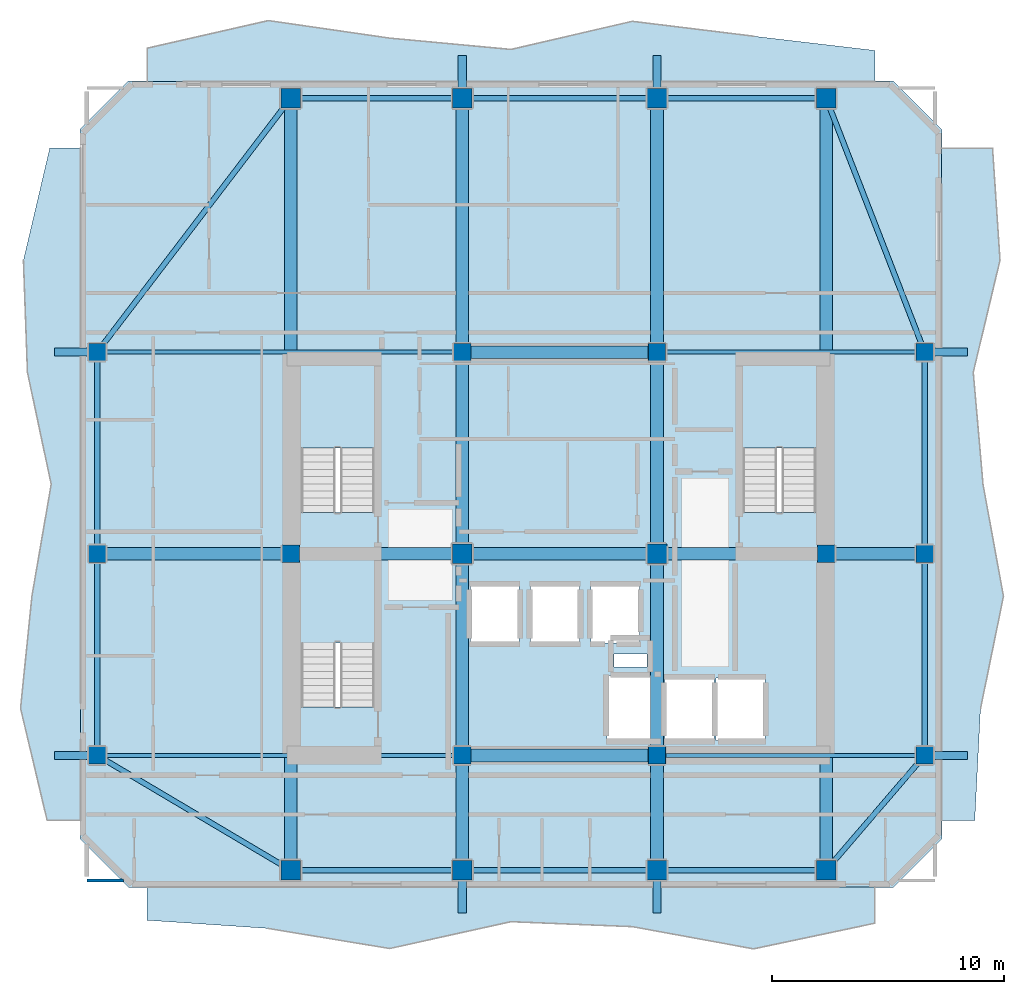
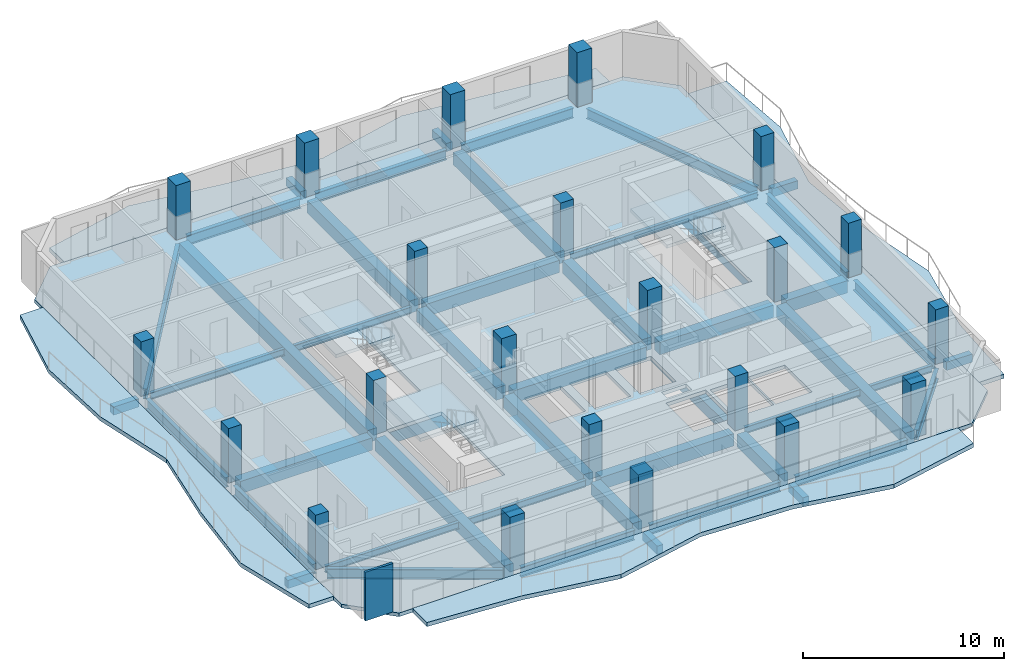
# One storey, part 1 of 10: 45 beams, 22 columns, 8 slabs, 1 wall, 3 elements without a shape of their own.
"""IFC4 building model written with IfcOpenShell, lengths in metres."""

from ifc_helpers import new_model, si_unit, direction, frame, frame_2d, origin, origin_2d, place, context, subcontext, project, spatial, polyline, rectangle, i_section, outline, extrude, material, layer, layer_set, material_profile, profile_set, type_object, element, aggregate, save


model = new_model("IFC4")

# Units and contexts
model_context = context("Model", 3, precision=1e-05, world=origin(), true_north=direction((0.0, 1.0)))
body_context = subcontext(model_context, "Body", "Model", "MODEL_VIEW")
ifc_project = project(units=[si_unit("LENGTHUNIT", "METRE"), si_unit("AREAUNIT", "SQUARE_METRE"), si_unit("VOLUMEUNIT", "CUBIC_METRE"), si_unit("PLANEANGLEUNIT", "RADIAN"), si_unit("MASSUNIT", "GRAM", prefix="KILO")], contexts=[model_context])

# Site, building, storey
site_placement = place(None, origin())
site = spatial("IfcSite", under=ifc_project, at=site_placement, CompositionType="ELEMENT")
building_placement = place(site_placement, origin())
building = spatial("IfcBuilding", under=site, at=building_placement, Name="Solanera Arch Residences", CompositionType="ELEMENT")
storey_placement = place(building_placement, frame((0.0, 0.0, 254.52001953125)))
storey = spatial("IfcBuildingStorey", under=building, at=storey_placement, Name="L74", CompositionType="ELEMENT", Elevation=254.52001953125)

# Columns
ifc_material_1 = material(Name="Concrete C40/50 (f'c = 45 MPa)", Category="concrete")
ifc_material_profile_1 = material_profile(ifc_material_1, rectangle(XDim=0.75, YDim=0.75, at=origin_2d()))
ifc_profile_set_1 = profile_set([ifc_material_profile_1], Name="Concrete C40/50 (f'c = 45 MPa)")
column_type_1 = type_object("IfcColumnType", Name="Structural Column RC-COL-750X750", PredefinedType="COLUMN", material=ifc_profile_set_1)
for number, where, z_axis, x_axis, name in (
    (1, (20.800048828125, 22.0, 0.0), (0.0, 0.0, 1.0), (1.0, 0.0, 0.0), "COL-L74-CB-SW"),
    (2, (29.199951171875, 22.0, 0.0), (0.0, 0.0, 1.0), (1.0, 0.0, 0.0), "COL-L74-CB-SE"),
    (3, (20.800048828125, 39.39990234375, 0.0), (0.0, 0.0, 1.0), (1.0, 0.0, 0.0), "COL-L74-CB-NW"),
    (4, (29.199951171875, 39.39990234375, 0.0), (0.0, 0.0, 1.0), (1.0, 0.0, 0.0), "COL-L74-CB-NE"),
    (5, (13.39990234375, 30.699951171875, 0.0), (0.0, 0.0, 1.0), (1.0, 0.0, 0.0), "COL-L74-CB-WW"),
    (6, (36.5, 30.699951171875, 0.0), (0.0, 0.0, 1.0), (1.0, 0.0, 0.0), "COL-L74-CB-EE"),
    (7, (5.050048828125, 22.0, 0.0), (0.0, 0.0, 1.0), (1.0, 0.0, 0.0), "COL-L74-TWR-09"),
    (8, (40.75, 22.0, 0.0), (0.0, 0.0, 1.0), (1.0, 0.0, 0.0), "COL-L74-TWR-10"),
    (9, (5.050048828125, 30.699951171875, 0.0), (0.0, 0.0, 1.0), (1.0, 0.0, 0.0), "COL-L74-TWR-11"),
    (10, (40.75, 30.699951171875, 0.0), (0.0, 0.0, 1.0), (1.0, 0.0, 0.0), "COL-L74-TWR-12"),
    (11, (5.050048828125, 39.39990234375, 0.0), (0.0, 0.0, 1.0), (1.0, 0.0, 0.0), "COL-L74-TWR-13"),
    (12, (40.75, 39.39990234375, 0.0), (0.0, 0.0, 1.0), (1.0, 0.0, 0.0), "COL-L74-TWR-14"),
):
    element("IfcColumn", number, at=place(storey_placement, frame(where, z_axis=z_axis, x_axis=x_axis)), inside=storey, type_object=column_type_1, Name=name, PredefinedType="COLUMN", context=body_context, shape_type="SweptSolid", body=[
        extrude(rectangle(XDim=0.75, YDim=0.75, at=origin_2d()), origin(), (0.0, 0.0, 1.0), 3.320068359375),
    ])
ifc_material_2 = material(Name="Concrete C40/50 (f'c = 45 MPa)", Category="concrete")
ifc_material_profile_2 = material_profile(ifc_material_2, rectangle(XDim=0.85009765625, YDim=0.85009765625, at=origin_2d()))
ifc_profile_set_2 = profile_set([ifc_material_profile_2], Name="Concrete C40/50 (f'c = 45 MPa)")
column_type_2 = type_object("IfcColumnType", Name="Structural Column RC-COL-850X850", PredefinedType="COLUMN", material=ifc_profile_set_2)
for number, where, z_axis, x_axis, name in (
    (13, (20.800048828125, 30.699951171875, 0.0), (0.0, 0.0, 1.0), (1.0, 0.0, 0.0), "COL-L74-CORE-W"),
    (14, (29.199951171875, 30.699951171875, 0.0), (0.0, 0.0, 1.0), (1.0, 0.0, 0.0), "COL-L74-CORE-E"),
    (15, (13.39990234375, 17.050048828125, 0.0), (0.0, 0.0, 1.0), (1.0, 0.0, 0.0), "COL-L74-TWR-01"),
    (16, (13.39990234375, 50.35009765625, 0.0), (0.0, 0.0, 1.0), (1.0, 0.0, 0.0), "COL-L74-TWR-02"),
    (17, (20.800048828125, 17.050048828125, 0.0), (0.0, 0.0, 1.0), (1.0, 0.0, 0.0), "COL-L74-TWR-03"),
    (18, (20.800048828125, 50.35009765625, 0.0), (0.0, 0.0, 1.0), (1.0, 0.0, 0.0), "COL-L74-TWR-04"),
    (19, (29.199951171875, 17.050048828125, 0.0), (0.0, 0.0, 1.0), (1.0, 0.0, 0.0), "COL-L74-TWR-05"),
    (20, (29.199951171875, 50.35009765625, 0.0), (0.0, 0.0, 1.0), (1.0, 0.0, 0.0), "COL-L74-TWR-06"),
    (21, (36.5, 17.050048828125, 0.0), (0.0, 0.0, 1.0), (1.0, 0.0, 0.0), "COL-L74-TWR-07"),
    (22, (36.5, 50.35009765625, 0.0), (0.0, 0.0, 1.0), (1.0, 0.0, 0.0), "COL-L74-TWR-08"),
):
    element("IfcColumn", number, at=place(storey_placement, frame(where, z_axis=z_axis, x_axis=x_axis)), inside=storey, type_object=column_type_2, Name=name, PredefinedType="COLUMN", context=body_context, shape_type="SweptSolid", body=[
        extrude(rectangle(XDim=0.85009765625, YDim=0.85009765625, at=origin_2d()), origin(), (0.0, 0.0, 1.0), 3.320068359375),
    ])

# Beams
ifc_material_3 = material(Name="Concrete C40/50 (f'c = 45 MPa)", Category="concrete")
ifc_material_profile_3 = material_profile(ifc_material_3, rectangle(XDim=0.35009765625, YDim=0.5, at=origin_2d()))
ifc_profile_set_3 = profile_set([ifc_material_profile_3], Name="Concrete C40/50 (f'c = 45 MPa)")
beam_type_1 = type_object("IfcBeamType", Name="BM-BALC-RIB", PredefinedType="BEAM", material=ifc_profile_set_3)
for number, where, z_axis, x_axis, name in (
    (23, (20.800048828125, 15.199951171875, -0.5), (0.0, 1.0, 0.0), (-1.0, 0.0, 0.0), "BM-L74-BRIB-S1"),
    (24, (29.199951171875, 15.199951171875, -0.5), (0.0, 1.0, 0.0), (-1.0, 0.0, 0.0), "BM-L74-BRIB-S2"),
    (25, (20.800048828125, 50.77490234375, -0.5), (0.0, 1.0, 0.0), (-1.0, 0.0, 0.0), "BM-L74-BRIB-N1"),
    (26, (29.199951171875, 50.77490234375, -0.5), (0.0, 1.0, 0.0), (-1.0, 0.0, 0.0), "BM-L74-BRIB-N2"),
):
    element("IfcBeam", number, at=place(storey_placement, frame(where, z_axis=z_axis, x_axis=x_axis)), inside=storey, type_object=beam_type_1, Name=name, PredefinedType="BEAM", context=body_context, shape_type="SweptSolid", body=[
        extrude(rectangle(XDim=0.35009765625, YDim=0.5, at=origin_2d()), origin(), (0.0, 0.0, 1.0), 1.425048828125),
    ])
for number, where, z_axis, x_axis, name in (
    (27, (41.125, 22.0, -0.5), (1.0, 0.0, 0.0), (0.0, 1.0, 0.0), "BM-L74-BRIB-E1"),
    (28, (41.125, 39.39990234375, -0.5), (1.0, 0.0, 0.0), (0.0, 1.0, 0.0), "BM-L74-BRIB-E2"),
    (29, (3.199951171875, 22.0, -0.5), (1.0, 0.0, 0.0), (0.0, 1.0, 0.0), "BM-L74-BRIB-W1"),
    (30, (3.199951171875, 39.39990234375, -0.5), (1.0, 0.0, 0.0), (0.0, 1.0, 0.0), "BM-L74-BRIB-W2"),
):
    element("IfcBeam", number, at=place(storey_placement, frame(where, z_axis=z_axis, x_axis=x_axis)), inside=storey, type_object=beam_type_1, Name=name, PredefinedType="BEAM", context=body_context, shape_type="SweptSolid", body=[
        extrude(rectangle(XDim=0.35009765625, YDim=0.5, at=origin_2d()), origin(), (0.0, 0.0, 1.0), 1.47509765625),
    ])
ifc_material_4 = material(Name="Concrete C40/50 (f'c = 45 MPa)", Category="concrete")
ifc_material_profile_4 = material_profile(ifc_material_4, rectangle(XDim=0.550048828125, YDim=0.75, at=origin_2d()))
ifc_profile_set_4 = profile_set([ifc_material_profile_4], Name="Concrete C40/50 (f'c = 45 MPa)")
beam_type_2 = type_object("IfcBeamType", Name="Primary Beam RC-BM-550X750", PredefinedType="BEAM", material=ifc_profile_set_4)
beam_1_placement = place(storey_placement, frame((20.800048828125, 22.37890625, -0.594970703125), z_axis=(0.0, 1.0, 0.0), x_axis=(-1.0, 0.0, 0.0)))
element("IfcBeam", 31, at=beam_1_placement, inside=storey, type_object=beam_type_2, Name="BM-L74-CC-S-208", PredefinedType="BEAM", context=body_context, shape_type="SweptSolid", body=[
    extrude(rectangle(XDim=0.550048828125, YDim=0.75, at=origin_2d()), origin(), (0.0, 0.0, 1.0), 7.942138671875),
])
beam_2_placement = place(storey_placement, frame((20.800048828125, 31.0791015625, -0.594970703125), z_axis=(0.0, 1.0, 0.0), x_axis=(-1.0, 0.0, 0.0)))
element("IfcBeam", 32, at=beam_2_placement, inside=storey, type_object=beam_type_2, Name="BM-L74-CC-N-208", PredefinedType="BEAM", context=body_context, shape_type="SweptSolid", body=[
    extrude(rectangle(XDim=0.550048828125, YDim=0.75, at=origin_2d()), origin(), (0.0, 0.0, 1.0), 7.94189453125),
])
beam_3_placement = place(storey_placement, frame((29.199951171875, 22.37890625, -0.594970703125), z_axis=(0.0, 1.0, 0.0), x_axis=(-1.0, 0.0, 0.0)))
element("IfcBeam", 33, at=beam_3_placement, inside=storey, type_object=beam_type_2, Name="BM-L74-CC-S-292", PredefinedType="BEAM", context=body_context, shape_type="SweptSolid", body=[
    extrude(rectangle(XDim=0.550048828125, YDim=0.75, at=origin_2d()), origin(), (0.0, 0.0, 1.0), 7.942138671875),
])
beam_4_placement = place(storey_placement, frame((29.199951171875, 31.0791015625, -0.594970703125), z_axis=(0.0, 1.0, 0.0), x_axis=(-1.0, 0.0, 0.0)))
element("IfcBeam", 34, at=beam_4_placement, inside=storey, type_object=beam_type_2, Name="BM-L74-CC-N-292", PredefinedType="BEAM", context=body_context, shape_type="SweptSolid", body=[
    extrude(rectangle(XDim=0.550048828125, YDim=0.75, at=origin_2d()), origin(), (0.0, 0.0, 1.0), 7.94189453125),
])
for number, where, z_axis, x_axis, name in (
    (35, (21.178955078125, 22.0, -0.594970703125), (1.0, 0.0, 0.0), (0.0, 1.0, 0.0), "BM-L74-CC-M-220"),
    (36, (21.178955078125, 30.699951171875, -0.594970703125), (1.0, 0.0, 0.0), (0.0, 1.0, 0.0), "BM-L74-CC-M-307"),
    (37, (21.178955078125, 39.39990234375, -0.594970703125), (1.0, 0.0, 0.0), (0.0, 1.0, 0.0), "BM-L74-CC-M-394"),
):
    element("IfcBeam", number, at=place(storey_placement, frame(where, z_axis=z_axis, x_axis=x_axis)), inside=storey, type_object=beam_type_2, Name=name, PredefinedType="BEAM", context=body_context, shape_type="SweptSolid", body=[
        extrude(rectangle(XDim=0.550048828125, YDim=0.75, at=origin_2d()), origin(), (0.0, 0.0, 1.0), 7.64208984375),
    ])
beam_5_placement = place(storey_placement, frame((13.779052734375, 30.699951171875, -0.594970703125), z_axis=(1.0, 0.0, 0.0), x_axis=(0.0, 1.0, 0.0)))
element("IfcBeam", 38, at=beam_5_placement, inside=storey, type_object=beam_type_2, Name="BM-L74-CC-W", PredefinedType="BEAM", context=body_context, shape_type="SweptSolid", body=[
    extrude(rectangle(XDim=0.550048828125, YDim=0.75, at=origin_2d()), origin(), (0.0, 0.0, 1.0), 6.641845703125),
])
beam_6_placement = place(storey_placement, frame((29.5791015625, 30.699951171875, -0.594970703125), z_axis=(1.0, 0.0, 0.0), x_axis=(0.0, 1.0, 0.0)))
element("IfcBeam", 39, at=beam_6_placement, inside=storey, type_object=beam_type_2, Name="BM-L74-CC-E", PredefinedType="BEAM", context=body_context, shape_type="SweptSolid", body=[
    extrude(rectangle(XDim=0.550048828125, YDim=0.75, at=origin_2d()), origin(), (0.0, 0.0, 1.0), 6.5419921875),
])
beam_7_placement = place(storey_placement, frame((20.800048828125, 17.47900390625, -0.594970703125), z_axis=(0.0, 1.0, 0.0), x_axis=(-1.0, 0.0, 0.0)))
element("IfcBeam", 40, at=beam_7_placement, inside=storey, type_object=beam_type_2, Name="BM-L74-RAD-S-208", PredefinedType="BEAM", context=body_context, shape_type="SweptSolid", body=[
    extrude(rectangle(XDim=0.550048828125, YDim=0.75, at=origin_2d()), origin(), (0.0, 0.0, 1.0), 4.14208984375),
])
beam_8_placement = place(storey_placement, frame((20.800048828125, 39.779052734375, -0.594970703125), z_axis=(0.0, 1.0, 0.0), x_axis=(-1.0, 0.0, 0.0)))
element("IfcBeam", 41, at=beam_8_placement, inside=storey, type_object=beam_type_2, Name="BM-L74-RAD-N-208", PredefinedType="BEAM", context=body_context, shape_type="SweptSolid", body=[
    extrude(rectangle(XDim=0.550048828125, YDim=0.75, at=origin_2d()), origin(), (0.0, 0.0, 1.0), 10.141845703125),
])
beam_9_placement = place(storey_placement, frame((29.199951171875, 17.47900390625, -0.594970703125), z_axis=(0.0, 1.0, 0.0), x_axis=(-1.0, 0.0, 0.0)))
element("IfcBeam", 42, at=beam_9_placement, inside=storey, type_object=beam_type_2, Name="BM-L74-RAD-S-292", PredefinedType="BEAM", context=body_context, shape_type="SweptSolid", body=[
    extrude(rectangle(XDim=0.550048828125, YDim=0.75, at=origin_2d()), origin(), (0.0, 0.0, 1.0), 4.14208984375),
])
beam_10_placement = place(storey_placement, frame((29.199951171875, 39.779052734375, -0.594970703125), z_axis=(0.0, 1.0, 0.0), x_axis=(-1.0, 0.0, 0.0)))
element("IfcBeam", 43, at=beam_10_placement, inside=storey, type_object=beam_type_2, Name="BM-L74-RAD-N-292", PredefinedType="BEAM", context=body_context, shape_type="SweptSolid", body=[
    extrude(rectangle(XDim=0.550048828125, YDim=0.75, at=origin_2d()), origin(), (0.0, 0.0, 1.0), 10.141845703125),
])
beam_11_placement = place(storey_placement, frame((13.39990234375, 17.47900390625, -0.594970703125), z_axis=(0.0, 1.0, 0.0), x_axis=(-1.0, 0.0, 0.0)))
element("IfcBeam", 44, at=beam_11_placement, inside=storey, type_object=beam_type_2, Name="BM-L74-RAD-OS-134", PredefinedType="BEAM", context=body_context, shape_type="SweptSolid", body=[
    extrude(rectangle(XDim=0.550048828125, YDim=0.75, at=origin_2d()), origin(), (0.0, 0.0, 1.0), 12.842041015625),
])
beam_12_placement = place(storey_placement, frame((13.39990234375, 31.0791015625, -0.594970703125), z_axis=(0.0, 1.0, 0.0), x_axis=(-1.0, 0.0, 0.0)))
element("IfcBeam", 45, at=beam_12_placement, inside=storey, type_object=beam_type_2, Name="BM-L74-RAD-ON-134", PredefinedType="BEAM", context=body_context, shape_type="SweptSolid", body=[
    extrude(rectangle(XDim=0.550048828125, YDim=0.75, at=origin_2d()), origin(), (0.0, 0.0, 1.0), 18.841796875),
])
beam_13_placement = place(storey_placement, frame((36.5, 17.47900390625, -0.594970703125), z_axis=(0.0, 1.0, 0.0), x_axis=(-1.0, 0.0, 0.0)))
element("IfcBeam", 46, at=beam_13_placement, inside=storey, type_object=beam_type_2, Name="BM-L74-RAD-OS-365", PredefinedType="BEAM", context=body_context, shape_type="SweptSolid", body=[
    extrude(rectangle(XDim=0.550048828125, YDim=0.75, at=origin_2d()), origin(), (0.0, 0.0, 1.0), 12.842041015625),
])
beam_14_placement = place(storey_placement, frame((36.5, 31.0791015625, -0.594970703125), z_axis=(0.0, 1.0, 0.0), x_axis=(-1.0, 0.0, 0.0)))
element("IfcBeam", 47, at=beam_14_placement, inside=storey, type_object=beam_type_2, Name="BM-L74-RAD-ON-365", PredefinedType="BEAM", context=body_context, shape_type="SweptSolid", body=[
    extrude(rectangle(XDim=0.550048828125, YDim=0.75, at=origin_2d()), origin(), (0.0, 0.0, 1.0), 18.841796875),
])
beam_15_placement = place(storey_placement, frame((5.428955078125, 30.699951171875, -0.594970703125), z_axis=(1.0, 0.0, 0.0), x_axis=(0.0, 1.0, 0.0)))
element("IfcBeam", 48, at=beam_15_placement, inside=storey, type_object=beam_type_2, Name="BM-L74-RAD-MW", PredefinedType="BEAM", context=body_context, shape_type="SweptSolid", body=[
    extrude(rectangle(XDim=0.550048828125, YDim=0.75, at=origin_2d()), origin(), (0.0, 0.0, 1.0), 7.592041015625),
])
beam_16_placement = place(storey_placement, frame((36.87890625, 30.699951171875, -0.594970703125), z_axis=(1.0, 0.0, 0.0), x_axis=(0.0, 1.0, 0.0)))
element("IfcBeam", 49, at=beam_16_placement, inside=storey, type_object=beam_type_2, Name="BM-L74-RAD-ME", PredefinedType="BEAM", context=body_context, shape_type="SweptSolid", body=[
    extrude(rectangle(XDim=0.550048828125, YDim=0.75, at=origin_2d()), origin(), (0.0, 0.0, 1.0), 3.4921875),
])
ifc_material_5 = material(Name="Steel S355 (ASTM A992 / A572 Grade 50)", Category="steel")
ifc_material_profile_5 = material_profile(ifc_material_5, i_section(OverallWidth=0.178955078125, OverallDepth=0.409912109375, WebThickness=0.0087890625, FlangeThickness=0.014404296875, at=origin_2d()))
ifc_profile_set_5 = profile_set([ifc_material_profile_5], Name="Steel S355 (ASTM A992 / A572 Grade 50)")
beam_type_3 = type_object("IfcBeamType", Name="Secondary Joist W410X67", PredefinedType="JOIST", material=ifc_profile_set_5)
beam_17_placement = place(storey_placement, frame((5.428955078125, 22.0, -0.425048828125), z_axis=(1.0, 0.0, 0.0), x_axis=(0.0, 1.0, 0.0)))
element("IfcBeam", 50, at=beam_17_placement, inside=storey, type_object=beam_type_3, Name="BM-L74-RAD-W-220", PredefinedType="JOIST", context=body_context, shape_type="SweptSolid", body=[
    extrude(i_section(OverallWidth=0.178955078125, OverallDepth=0.409912109375, WebThickness=0.0087890625, FlangeThickness=0.014404296875, at=origin_2d()), origin(), (0.0, 0.0, 1.0), 14.991943359375),
])
beam_18_placement = place(storey_placement, frame((29.5791015625, 22.0, -0.425048828125), z_axis=(1.0, 0.0, 0.0), x_axis=(0.0, 1.0, 0.0)))
element("IfcBeam", 51, at=beam_18_placement, inside=storey, type_object=beam_type_3, Name="BM-L74-RAD-E-220", PredefinedType="JOIST", context=body_context, shape_type="SweptSolid", body=[
    extrude(i_section(OverallWidth=0.178955078125, OverallDepth=0.409912109375, WebThickness=0.0087890625, FlangeThickness=0.014404296875, at=origin_2d()), origin(), (0.0, 0.0, 1.0), 10.7919921875),
])
beam_19_placement = place(storey_placement, frame((5.428955078125, 39.39990234375, -0.425048828125), z_axis=(1.0, 0.0, 0.0), x_axis=(0.0, 1.0, 0.0)))
element("IfcBeam", 52, at=beam_19_placement, inside=storey, type_object=beam_type_3, Name="BM-L74-RAD-W-394", PredefinedType="JOIST", context=body_context, shape_type="SweptSolid", body=[
    extrude(i_section(OverallWidth=0.178955078125, OverallDepth=0.409912109375, WebThickness=0.0087890625, FlangeThickness=0.014404296875, at=origin_2d()), origin(), (0.0, 0.0, 1.0), 14.991943359375),
])
beam_20_placement = place(storey_placement, frame((29.5791015625, 39.39990234375, -0.425048828125), z_axis=(1.0, 0.0, 0.0), x_axis=(0.0, 1.0, 0.0)))
element("IfcBeam", 53, at=beam_20_placement, inside=storey, type_object=beam_type_3, Name="BM-L74-RAD-E-394", PredefinedType="JOIST", context=body_context, shape_type="SweptSolid", body=[
    extrude(i_section(OverallWidth=0.178955078125, OverallDepth=0.409912109375, WebThickness=0.0087890625, FlangeThickness=0.014404296875, at=origin_2d()), origin(), (0.0, 0.0, 1.0), 10.7919921875),
])
ifc_material_6 = material(Name="Steel S355 (ASTM A992 / A572 Grade 50)", Category="steel")
ifc_material_profile_6 = material_profile(ifc_material_6, i_section(OverallWidth=0.22802734375, OverallDepth=0.60791015625, WebThickness=0.01123046875, FlangeThickness=0.017333984375, at=origin_2d()))
ifc_profile_set_6 = profile_set([ifc_material_profile_6], Name="Steel S355 (ASTM A992 / A572 Grade 50)")
beam_type_4 = type_object("IfcBeamType", Name="Spandrel Beam W610X113", PredefinedType="SPANDREL", material=ifc_profile_set_6)
for number, where, z_axis, x_axis, name in (
    (54, (13.8291015625, 17.050048828125, -0.52392578125), (1.0, 0.0, 0.0), (0.0, 1.0, 0.0), "BM-L74-SPN-S-1"),
    (55, (13.8291015625, 50.35009765625, -0.52392578125), (1.0, 0.0, 0.0), (0.0, 1.0, 0.0), "BM-L74-SPN-N-1"),
):
    element("IfcBeam", number, at=place(storey_placement, frame(where, z_axis=z_axis, x_axis=x_axis)), inside=storey, type_object=beam_type_4, Name=name, PredefinedType="SPANDREL", context=body_context, shape_type="SweptSolid", body=[
        extrude(i_section(OverallWidth=0.22802734375, OverallDepth=0.60791015625, WebThickness=0.01123046875, FlangeThickness=0.017333984375, at=origin_2d()), origin(), (0.0, 0.0, 1.0), 6.5419921875),
    ])
for number, where, z_axis, x_axis, name in (
    (56, (21.22900390625, 17.050048828125, -0.52392578125), (1.0, 0.0, 0.0), (0.0, 1.0, 0.0), "BM-L74-SPN-S-2"),
    (57, (21.22900390625, 50.35009765625, -0.52392578125), (1.0, 0.0, 0.0), (0.0, 1.0, 0.0), "BM-L74-SPN-N-2"),
):
    element("IfcBeam", number, at=place(storey_placement, frame(where, z_axis=z_axis, x_axis=x_axis)), inside=storey, type_object=beam_type_4, Name=name, PredefinedType="SPANDREL", context=body_context, shape_type="SweptSolid", body=[
        extrude(i_section(OverallWidth=0.22802734375, OverallDepth=0.60791015625, WebThickness=0.01123046875, FlangeThickness=0.017333984375, at=origin_2d()), origin(), (0.0, 0.0, 1.0), 7.5419921875),
    ])
for number, where, z_axis, x_axis, name in (
    (58, (29.62890625, 17.050048828125, -0.52392578125), (1.0, 0.0, 0.0), (0.0, 1.0, 0.0), "BM-L74-SPN-S-3"),
    (59, (29.62890625, 50.35009765625, -0.52392578125), (1.0, 0.0, 0.0), (0.0, 1.0, 0.0), "BM-L74-SPN-N-3"),
):
    element("IfcBeam", number, at=place(storey_placement, frame(where, z_axis=z_axis, x_axis=x_axis)), inside=storey, type_object=beam_type_4, Name=name, PredefinedType="SPANDREL", context=body_context, shape_type="SweptSolid", body=[
        extrude(i_section(OverallWidth=0.22802734375, OverallDepth=0.60791015625, WebThickness=0.01123046875, FlangeThickness=0.017333984375, at=origin_2d()), origin(), (0.0, 0.0, 1.0), 6.442138671875),
    ])
for number, where, z_axis, x_axis, name in (
    (60, (5.050048828125, 22.37890625, -0.52392578125), (0.0, 1.0, 0.0), (-1.0, 0.0, 0.0), "BM-L74-SPN-W-1"),
    (61, (40.75, 22.37890625, -0.52392578125), (0.0, 1.0, 0.0), (-1.0, 0.0, 0.0), "BM-L74-SPN-E-1"),
):
    element("IfcBeam", number, at=place(storey_placement, frame(where, z_axis=z_axis, x_axis=x_axis)), inside=storey, type_object=beam_type_4, Name=name, PredefinedType="SPANDREL", context=body_context, shape_type="SweptSolid", body=[
        extrude(i_section(OverallWidth=0.22802734375, OverallDepth=0.60791015625, WebThickness=0.01123046875, FlangeThickness=0.017333984375, at=origin_2d()), origin(), (0.0, 0.0, 1.0), 7.942138671875),
    ])
for number, where, z_axis, x_axis, name in (
    (62, (5.050048828125, 31.0791015625, -0.52392578125), (0.0, 1.0, 0.0), (-1.0, 0.0, 0.0), "BM-L74-SPN-W-2"),
    (63, (40.75, 31.0791015625, -0.52392578125), (0.0, 1.0, 0.0), (-1.0, 0.0, 0.0), "BM-L74-SPN-E-2"),
):
    element("IfcBeam", number, at=place(storey_placement, frame(where, z_axis=z_axis, x_axis=x_axis)), inside=storey, type_object=beam_type_4, Name=name, PredefinedType="SPANDREL", context=body_context, shape_type="SweptSolid", body=[
        extrude(i_section(OverallWidth=0.22802734375, OverallDepth=0.60791015625, WebThickness=0.01123046875, FlangeThickness=0.017333984375, at=origin_2d()), origin(), (0.0, 0.0, 1.0), 7.94189453125),
    ])
beam_21_placement = place(storey_placement, frame((12.971923828125, 17.303955078125, -0.52392578125), z_axis=(-0.860219624606, 0.509923717278, 0.0), x_axis=(-0.509923717278, -0.860219624606, 0.0)))
element("IfcBeam", 64, at=beam_21_placement, inside=storey, type_object=beam_type_4, Name="BM-L74-SPN-SW", PredefinedType="SPANDREL", context=body_context, shape_type="SweptSolid", body=[
    extrude(i_section(OverallWidth=0.22802734375, OverallDepth=0.60791015625, WebThickness=0.01123046875, FlangeThickness=0.017333984375, at=origin_2d()), origin(), (0.0, 0.0, 1.0), 8.769775390625),
])
beam_22_placement = place(storey_placement, frame((13.072998046875, 49.922119140625, -0.52392578125), z_axis=(-0.606356271812, -0.795193103362, 0.0), x_axis=(0.795193103362, -0.606356271812, 0.0)))
element("IfcBeam", 65, at=beam_22_placement, inside=storey, type_object=beam_type_4, Name="BM-L74-SPN-NW", PredefinedType="SPANDREL", context=body_context, shape_type="SweptSolid", body=[
    extrude(i_section(OverallWidth=0.22802734375, OverallDepth=0.60791015625, WebThickness=0.01123046875, FlangeThickness=0.017333984375, at=origin_2d()), origin(), (0.0, 0.0, 1.0), 12.756591796875),
])
beam_23_placement = place(storey_placement, frame((36.85205078125, 17.4599609375, -0.52392578125), z_axis=(0.651366641781, 0.758763136937, 0.0), x_axis=(-0.758763136937, 0.651366641781, 0.0)))
element("IfcBeam", 66, at=beam_23_placement, inside=storey, type_object=beam_type_4, Name="BM-L74-SPN-SE", PredefinedType="SPANDREL", context=body_context, shape_type="SweptSolid", body=[
    extrude(i_section(OverallWidth=0.22802734375, OverallDepth=0.60791015625, WebThickness=0.01123046875, FlangeThickness=0.017333984375, at=origin_2d()), origin(), (0.0, 0.0, 1.0), 5.4853515625),
])
beam_24_placement = place(storey_placement, frame((36.666015625, 49.9208984375, -0.52392578125), z_axis=(0.361884146567, -0.932223076556, 0.0), x_axis=(0.932223076556, 0.361884146567, 0.0)))
element("IfcBeam", 67, at=beam_24_placement, inside=storey, type_object=beam_type_4, Name="BM-L74-SPN-NE", PredefinedType="SPANDREL", context=body_context, shape_type="SweptSolid", body=[
    extrude(i_section(OverallWidth=0.22802734375, OverallDepth=0.60791015625, WebThickness=0.01123046875, FlangeThickness=0.017333984375, at=origin_2d()), origin(), (0.0, 0.0, 1.0), 10.879150390625),
])

# Slabs
ifc_material_7 = material(Name="Concrete C40/50 (f'c = 45 MPa)", Category="concrete")
ifc_layer_1 = layer(ifc_material_7, 0.25)
ifc_layer_set_1 = layer_set([ifc_layer_1], Name="Concrete C40/50 (f'c = 45 MPa)")
slab_type_1 = type_object("IfcSlabType", Name="Balcony Slab 250", PredefinedType="FLOOR", material=ifc_layer_set_1)
slab_1_placement = place(storey_placement, frame((0.0, 0.0, -0.25)))
element("IfcSlab", 68, at=slab_1_placement, inside=storey, type_object=slab_type_1, Name="L74 S Rippling Brise-Soleil Balcony Slab", PredefinedType="FLOOR", context=body_context, shape_type="SweptSolid", body=[
    extrude(outline(polyline([(7.199951171875, 14.887939453125), (12.43310546875, 14.534912109375), (17.6669921875, 13.669921875), (22.89990234375, 14.827880859375), (28.133056640625, 14.614013671875), (33.366943359375, 13.655029296875), (38.60009765625, 14.761962890625), (38.60009765625, 16.320068359375), (7.199951171875, 16.320068359375), (7.199951171875, 14.887939453125)])), origin(), (0.0, 0.0, 1.0), 0.25),
])
slab_2_placement = place(storey_placement, frame((0.0, 0.0, -0.25)))
element("IfcSlab", 69, at=slab_2_placement, inside=storey, type_object=slab_type_1, Name="L74 N Rippling Brise-Soleil Balcony Slab", PredefinedType="FLOOR", context=body_context, shape_type="SweptSolid", body=[
    extrude(outline(polyline([(38.60009765625, 52.416015625), (33.366943359375, 53.031005859375), (28.133056640625, 53.673095703125), (22.89990234375, 52.4599609375), (17.6669921875, 52.947021484375), (12.43310546875, 53.7060546875), (7.199951171875, 52.511962890625), (7.199951171875, 51.080078125), (38.60009765625, 51.080078125), (38.60009765625, 52.416015625)])), origin(), (0.0, 0.0, 1.0), 0.25),
])
slab_3_placement = place(storey_placement, frame((0.0, 0.0, -0.25)))
element("IfcSlab", 70, at=slab_3_placement, inside=storey, type_object=slab_type_1, Name="L74 E Rippling Brise-Soleil Balcony Slab", PredefinedType="FLOOR", context=body_context, shape_type="SweptSolid", body=[
    extrude(outline(polyline([(42.912109375, 19.199951171875), (43.159912109375, 24.032958984375), (44.14794921875, 28.866943359375), (43.264892578125, 33.699951171875), (42.844970703125, 38.532958984375), (43.998046875, 43.366943359375), (43.677001953125, 48.199951171875), (41.47998046875, 48.199951171875), (41.47998046875, 19.199951171875), (42.912109375, 19.199951171875)])), origin(), (0.0, 0.0, 1.0), 0.25),
])
slab_4_placement = place(storey_placement, frame((0.0, 0.0, -0.25)))
element("IfcSlab", 71, at=slab_4_placement, inside=storey, type_object=slab_type_1, Name="L74 W Rippling Brise-Soleil Balcony Slab", PredefinedType="FLOOR", context=body_context, shape_type="SweptSolid", body=[
    extrude(outline(polyline([(3.0009765625, 48.199951171875), (1.864990234375, 43.366943359375), (2.0380859375, 38.532958984375), (3.06298828125, 33.699951171875), (2.23095703125, 28.866943359375), (1.740966796875, 24.032958984375), (2.887939453125, 19.199951171875), (4.320068359375, 19.199951171875), (4.320068359375, 48.199951171875), (3.0009765625, 48.199951171875)])), origin(), (0.0, 0.0, 1.0), 0.25),
])

# Stair, slab
ifc_material_8 = material(Name="Concrete C40/50 (f'c = 45 MPa)", Category="concrete")
stair_type = type_object("IfcStairType", Name="Tower Dogleg Exit Stair 1480", PredefinedType="HALF_TURN_STAIR", material=ifc_material_8)
stair_1_placement = place(storey_placement, origin())
stair_1 = element("IfcStair", 72, at=stair_1_placement, inside=storey, type_object=stair_type, Name="L74 Tower Core Exit Stair 1", PredefinedType="HALF_TURN_STAIR")
ifc_material_9 = material(Name="Concrete C40/50 (f'c = 45 MPa)", Category="concrete")
ifc_layer_2 = layer(ifc_material_9, 0.199951171875)
ifc_layer_set_2 = layer_set([ifc_layer_2], Name="Concrete C40/50 (f'c = 45 MPa)")
slab_type_2 = type_object("IfcSlabType", Name="Stair Half-Landing Slab 200", PredefinedType="LANDING", material=ifc_layer_set_2)
slab_5_placement = place(storey_placement, frame((0.0, 0.0, 1.4599609375)))
slab_5 = element("IfcSlab", 73, at=slab_5_placement, type_object=slab_type_2, Name="ST-T1 landing 1", PredefinedType="LANDING", context=body_context, shape_type="SweptSolid", body=[
    extrude(outline(polyline([(17.1201171875, 35.260009765625), (17.1201171875, 38.919921875), (13.719970703125, 38.919921875), (13.719970703125, 35.260009765625), (17.1201171875, 35.260009765625)])), origin(), (0.0, 0.0, 1.0), 0.199951171875),
])
aggregate(stair_1, [slab_5])

stair_2_placement = place(storey_placement, origin())
stair_2 = element("IfcStair", 74, at=stair_2_placement, inside=storey, type_object=stair_type, Name="L74 Tower Core Exit Stair 2", PredefinedType="HALF_TURN_STAIR")
slab_6_placement = place(storey_placement, frame((0.0, 0.0, 1.4599609375)))
slab_6 = element("IfcSlab", 75, at=slab_6_placement, type_object=slab_type_2, Name="ST-T2 landing 1", PredefinedType="LANDING", context=body_context, shape_type="SweptSolid", body=[
    extrude(outline(polyline([(36.179931640625, 35.260009765625), (36.179931640625, 38.919921875), (32.780029296875, 38.919921875), (32.780029296875, 35.260009765625), (36.179931640625, 35.260009765625)])), origin(), (0.0, 0.0, 1.0), 0.199951171875),
])
aggregate(stair_2, [slab_6])

stair_3_placement = place(storey_placement, origin())
stair_3 = element("IfcStair", 76, at=stair_3_placement, inside=storey, type_object=stair_type, Name="L74 Tower Core Exit Stair 3", PredefinedType="HALF_TURN_STAIR")
slab_7_placement = place(storey_placement, frame((0.0, 0.0, 1.4599609375)))
slab_7 = element("IfcSlab", 77, at=slab_7_placement, type_object=slab_type_2, Name="ST-T3 landing 1", PredefinedType="LANDING", context=body_context, shape_type="SweptSolid", body=[
    extrude(outline(polyline([(17.1201171875, 26.860107421875), (17.1201171875, 30.52001953125), (13.719970703125, 30.52001953125), (13.719970703125, 26.860107421875), (17.1201171875, 26.860107421875)])), origin(), (0.0, 0.0, 1.0), 0.199951171875),
])
aggregate(stair_3, [slab_7])

# Slab
ifc_material_10 = material(Name="Concrete C40/50 (f'c = 45 MPa)", Category="concrete")
ifc_layer_3 = layer(ifc_material_10, 0.219970703125)
ifc_layer_set_3 = layer_set([ifc_layer_3], Name="Concrete C40/50 (f'c = 45 MPa)")
slab_type_3 = type_object("IfcSlabType", Name="Suspended Floor Slab Post-Tensioned 220", PredefinedType="FLOOR", material=ifc_layer_set_3)
slab_8_placement = place(storey_placement, frame((0.0, 0.0, -0.219970703125)))
element("IfcSlab", 78, at=slab_8_placement, inside=storey, type_object=slab_type_3, Name="L74 Tower Post-Tensioned Floor Slab", PredefinedType="FLOOR", context=body_context, shape_type="SweptSolid", body=[
    extrude(outline(polyline([(6.39990234375, 16.300048828125), (39.39990234375, 16.300048828125), (41.5, 18.39990234375), (41.5, 49.0), (39.39990234375, 51.10009765625), (6.39990234375, 51.10009765625), (4.300048828125, 49.0), (4.300048828125, 18.39990234375), (6.39990234375, 16.300048828125)]), holes=[polyline([(13.840087890625, 32.48291015625), (13.840087890625, 38.800048828125), (17.0, 38.800048828125), (17.0, 32.48291015625), (13.840087890625, 32.48291015625)]), polyline([(32.89990234375, 32.48291015625), (32.89990234375, 38.800048828125), (36.06005859375, 38.800048828125), (36.06005859375, 32.48291015625), (32.89990234375, 32.48291015625)]), polyline([(13.840087890625, 24.0830078125), (13.840087890625, 30.39990234375), (17.0, 30.39990234375), (17.0, 24.0830078125), (13.840087890625, 24.0830078125)]), polyline([(21.14990234375, 29.35009765625), (23.25, 29.35009765625), (23.25, 26.85009765625), (21.14990234375, 26.85009765625), (21.14990234375, 29.35009765625)]), polyline([(23.75, 29.35009765625), (25.85009765625, 29.35009765625), (25.85009765625, 26.85009765625), (23.75, 26.85009765625), (23.75, 29.35009765625)]), polyline([(26.35009765625, 29.35009765625), (28.449951171875, 29.35009765625), (28.449951171875, 26.85009765625), (26.35009765625, 26.85009765625), (26.35009765625, 29.35009765625)]), polyline([(29.550048828125, 25.35009765625), (31.64990234375, 25.35009765625), (31.64990234375, 22.64990234375), (29.550048828125, 22.64990234375), (29.550048828125, 25.35009765625)]), polyline([(31.75, 25.35009765625), (33.85009765625, 25.35009765625), (33.85009765625, 22.64990234375), (31.75, 22.64990234375), (31.75, 25.35009765625)]), polyline([(27.050048828125, 25.449951171875), (29.35009765625, 25.449951171875), (29.35009765625, 22.64990234375), (27.050048828125, 22.64990234375), (27.050048828125, 25.449951171875)]), polyline([(27.340087890625, 26.3798828125), (28.760009765625, 26.3798828125), (28.760009765625, 25.820068359375), (27.340087890625, 25.820068359375), (27.340087890625, 26.3798828125)])]), origin(), (0.0, 0.0, 1.0), 0.219970703125),
])

# Wall
ifc_material_11 = material(Name="Autoclaved Aerated Concrete Blockwork", Category="masonry")
ifc_layer_4 = layer(ifc_material_11, 0.139892578125)
ifc_layer_set_4 = layer_set([ifc_layer_4], Name="Autoclaved Aerated Concrete Blockwork")
wall_type = type_object("IfcWallType", Name="Wet-Room Partition 140", PredefinedType="PARTITIONING", material=ifc_layer_set_4)
wall_placement = place(storey_placement, frame((4.60009765625, 16.60009765625, 0.0), z_axis=(0.0, 0.0, 1.0), x_axis=(1.0, 0.0, 0.0)))
element("IfcWall", 79, at=wall_placement, inside=storey, type_object=wall_type, Name="L74 Interior Partition H14 1", PredefinedType="PARTITIONING", context=body_context, shape_type="SweptSolid", body=[
    extrude(rectangle(XDim=1.5888671875, YDim=0.139892578125, at=frame_2d((0.79443359375, 0.0))), origin(), (0.0, 0.0, 1.0), 2.9599609375),
])

save(model, "model.ifc")
